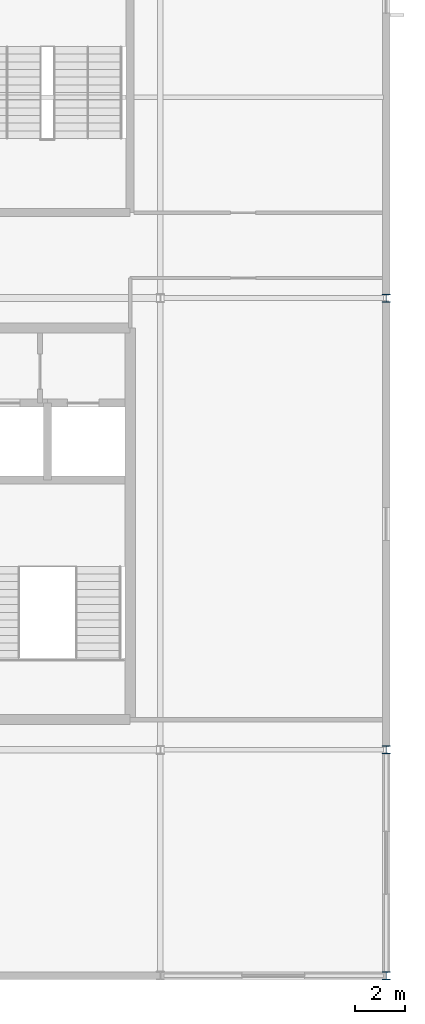
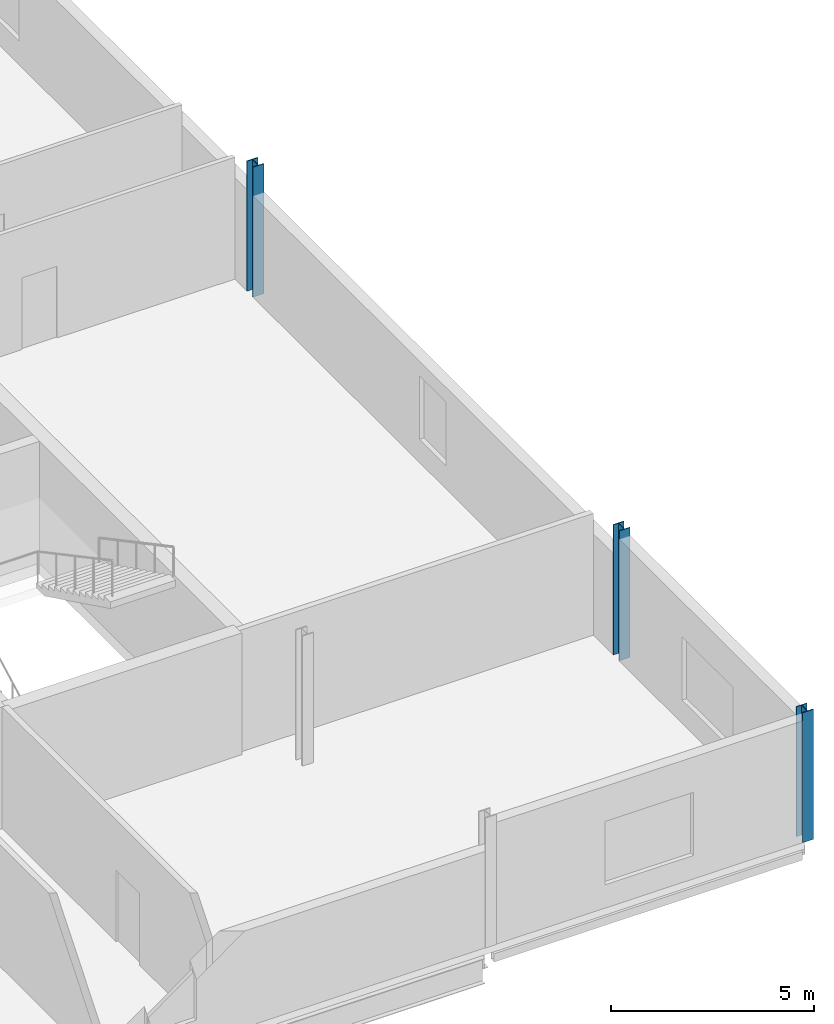
# One storey, part 6 of 27: 3 columns.
"""IFC4 building model written with IfcOpenShell, lengths in metres."""

from ifc_helpers import new_model, si_unit, direction, frame, origin, origin_2d, place, context, subcontext, project, spatial, i_section, extrude, material, material_profile, profile_set, type_object, element, save


model = new_model("IFC4")

# Units and contexts
model_context = context("Model", 3, precision=1e-05, world=origin(), true_north=direction((0.0, 1.0)))
body_context = subcontext(model_context, "Body", "Model", "MODEL_VIEW")
ifc_project = project(units=[si_unit("LENGTHUNIT", "METRE"), si_unit("AREAUNIT", "SQUARE_METRE"), si_unit("VOLUMEUNIT", "CUBIC_METRE"), si_unit("PLANEANGLEUNIT", "RADIAN"), si_unit("MASSUNIT", "GRAM", prefix="KILO")], contexts=[model_context])

# Site, building, storey
site_placement = place(None, origin())
site = spatial("IfcSite", under=ifc_project, at=site_placement, CompositionType="ELEMENT")
building_placement = place(site_placement, origin())
building = spatial("IfcBuilding", under=site, at=building_placement, Name="Kisiwana Market Hall", CompositionType="ELEMENT")
storey_placement = place(building_placement, frame((0.0, 0.0, 41.699951171875)))
storey = spatial("IfcBuildingStorey", under=building, at=storey_placement, Name="L09", CompositionType="ELEMENT", Elevation=41.699951171875)

# Columns
ifc_material = material(Name="Steel S355", Category="steel")
ifc_material_profile = material_profile(ifc_material, i_section(OverallWidth=0.30908203125, OverallDepth=0.320556640625, WebThickness=0.013916015625, FlangeThickness=0.021728515625, at=origin_2d()), Name="UC 305x305x137")
ifc_profile_set = profile_set([ifc_material_profile], Name="Steel S355")
column_type = type_object("IfcColumnType", Name="COL-STL-UC137", PredefinedType="COLUMN", material=ifc_profile_set)
for number, where, z_axis, x_axis, name in (
    (1, (198.0, 9.0, 0.0), (0.0, 0.0, 1.0), (1.0, 0.0, 0.0), "Column B/23 (L09) C-1255"),
    (2, (198.0, 18.0, 0.0), (0.0, 0.0, 1.0), (1.0, 0.0, 0.0), "Column C/23 (L09) C-1256"),
    (3, (198.0, 36.0, 0.0), (0.0, 0.0, 1.0), (1.0, 0.0, 0.0), "Column E/23 (L09) C-1257"),
):
    element("IfcColumn", number, at=place(storey_placement, frame(where, z_axis=z_axis, x_axis=x_axis)), inside=storey, type_object=column_type, Name=name, PredefinedType="COLUMN", context=body_context, shape_type="SweptSolid", body=[
        extrude(i_section(OverallWidth=0.30908203125, OverallDepth=0.320556640625, WebThickness=0.013916015625, FlangeThickness=0.021728515625, at=origin_2d()), origin(), (0.0, 0.0, 1.0), 3.900146484375),
    ])

save(model, "model.ifc")
